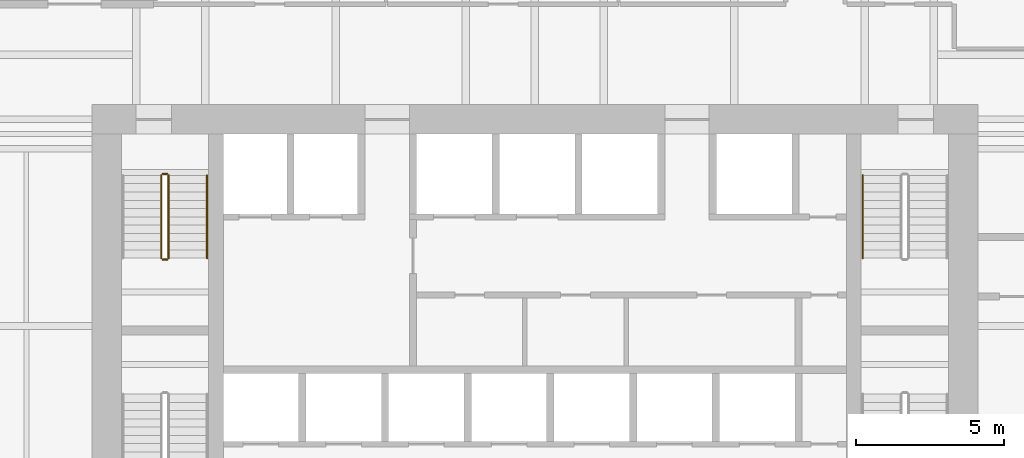
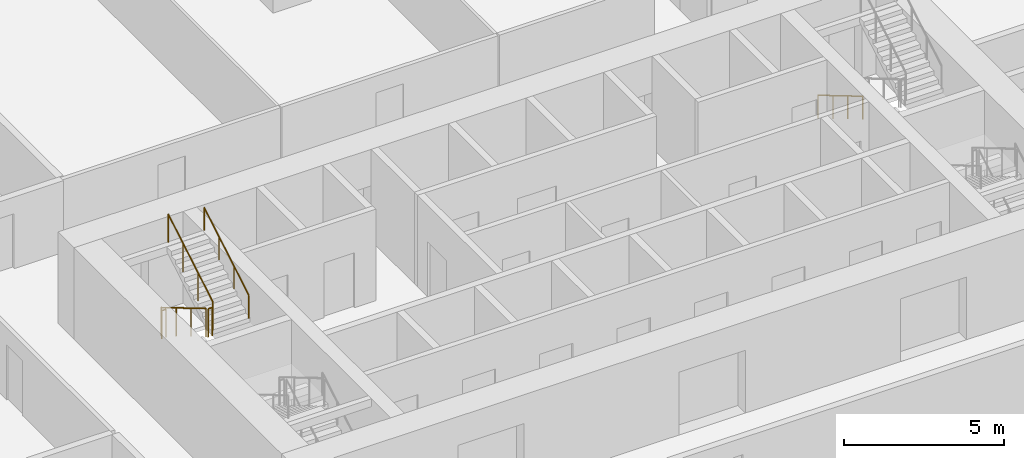
# One storey, part 37 of 51: 6 railings.
"""IFC4 building model written with IfcOpenShell, lengths in metres."""

from ifc_helpers import new_model, si_unit, direction, frame, origin, origin_2d, place, context, subcontext, project, spatial, circle, extrude, material, type_object, element, save


model = new_model("IFC4")

# Units and contexts
model_context = context("Model", 3, precision=1e-05, world=origin(), true_north=direction((0.0, 1.0)))
body_context = subcontext(model_context, "Body", "Model", "MODEL_VIEW")
ifc_project = project(units=[si_unit("LENGTHUNIT", "METRE"), si_unit("AREAUNIT", "SQUARE_METRE"), si_unit("VOLUMEUNIT", "CUBIC_METRE"), si_unit("PLANEANGLEUNIT", "RADIAN"), si_unit("MASSUNIT", "GRAM", prefix="KILO")], contexts=[model_context])

# Site, building, storey
site_placement = place(None, origin())
site = spatial("IfcSite", under=ifc_project, at=site_placement, CompositionType="ELEMENT")
building_placement = place(site_placement, origin())
building = spatial("IfcBuilding", under=site, at=building_placement, Name="Isthmus Gate Tower", CompositionType="ELEMENT")
storey_placement = place(building_placement, frame((0.0, 0.0, 36.0)))
storey = spatial("IfcBuildingStorey", under=building, at=storey_placement, Name="L06", CompositionType="ELEMENT", Elevation=36.0)

# Railings
ifc_material_1 = material(Name="Stainless steel balustrade", Category="steel")
railing_type_1 = type_object("IfcRailingType", Name="STAIR GUARD 1100", PredefinedType="GUARDRAIL", material=ifc_material_1)
railing_1_placement = place(storey_placement, frame((-12.64990234375, 12.60009765625, 0.166015625)))
element("IfcRailing", 1, at=railing_1_placement, inside=storey, type_object=railing_type_1, Name="L06 ST1 stair guard 1", PredefinedType="GUARDRAIL", context=body_context, shape_type="SweptSolid", body=[
    extrude(circle(Radius=0.02392578125, at=origin_2d()), frame((0.0, 0.0, 1.076171875), z_axis=(0.0, -0.860339051648, 0.50972219513), x_axis=(1.0, 0.0, 0.0)), (0.0, 0.0, 1.0), 3.254638671875),
    extrude(circle(Radius=0.02099609375, at=origin_2d()), origin(), (0.0, 0.0, 1.0), 1.052001953125),
    extrude(circle(Radius=0.02099609375, at=origin_2d()), frame((0.0, -0.933349609375, 0.552978515625)), (0.0, 0.0, 1.0), 1.052001953125),
    extrude(circle(Radius=0.02099609375, at=origin_2d()), frame((0.0, -1.86669921875, 1.10595703125)), (0.0, 0.0, 1.0), 1.052001953125),
    extrude(circle(Radius=0.02099609375, at=origin_2d()), frame((0.0, -2.800048828125, 1.658935546875)), (0.0, 0.0, 1.0), 1.052001953125),
])
railing_2_placement = place(storey_placement, frame((-12.60009765625, 9.75, 1.824951171875)))
element("IfcRailing", 2, at=railing_2_placement, inside=storey, type_object=railing_type_1, Name="L06 ST1 stair guard 2", PredefinedType="GUARDRAIL", context=body_context, shape_type="SweptSolid", body=[
    extrude(circle(Radius=0.02392578125, at=origin_2d()), frame((0.0, 0.0, 1.076171875), z_axis=(1.0, 0.0, 0.0), x_axis=(0.0, 1.0, 0.0)), (0.0, 0.0, 1.0), 0.150146484375),
    extrude(circle(Radius=0.02099609375, at=origin_2d()), origin(), (0.0, 0.0, 1.0), 1.052001953125),
    extrude(circle(Radius=0.02099609375, at=origin_2d()), frame((0.150146484375, 0.0, 0.0)), (0.0, 0.0, 1.0), 1.052001953125),
])
railing_3_placement = place(storey_placement, frame((-12.39990234375, 9.800048828125, 1.990966796875)))
element("IfcRailing", 3, at=railing_3_placement, inside=storey, type_object=railing_type_1, Name="L06 ST1 stair guard 3", PredefinedType="GUARDRAIL", context=body_context, shape_type="SweptSolid", body=[
    extrude(circle(Radius=0.02392578125, at=origin_2d()), frame((0.0, 0.0, 1.076171875), z_axis=(0.0, 0.860339051648, 0.50972219513), x_axis=(-1.0, 0.0, 0.0)), (0.0, 0.0, 1.0), 3.254638671875),
    extrude(circle(Radius=0.02099609375, at=origin_2d()), origin(), (0.0, 0.0, 1.0), 1.052001953125),
    extrude(circle(Radius=0.02099609375, at=origin_2d()), frame((0.0, 0.933349609375, 0.552978515625)), (0.0, 0.0, 1.0), 1.052001953125),
    extrude(circle(Radius=0.02099609375, at=origin_2d()), frame((0.0, 1.86669921875, 1.10595703125)), (0.0, 0.0, 1.0), 1.052001953125),
    extrude(circle(Radius=0.02099609375, at=origin_2d()), frame((0.0, 2.800048828125, 1.658935546875)), (0.0, 0.0, 1.0), 1.052001953125),
])
railing_4_placement = place(storey_placement, frame((-12.60009765625, 12.64990234375, 0.0)))
element("IfcRailing", 4, at=railing_4_placement, inside=storey, type_object=railing_type_1, Name="L06 ST1 stair guard 4", PredefinedType="GUARDRAIL", context=body_context, shape_type="SweptSolid", body=[
    extrude(circle(Radius=0.02392578125, at=origin_2d()), frame((0.0, 0.0, 1.076171875), z_axis=(1.0, 0.0, 0.0), x_axis=(0.0, 1.0, 0.0)), (0.0, 0.0, 1.0), 0.150146484375),
    extrude(circle(Radius=0.02099609375, at=origin_2d()), origin(), (0.0, 0.0, 1.0), 1.052001953125),
    extrude(circle(Radius=0.02099609375, at=origin_2d()), frame((0.150146484375, 0.0, 0.0)), (0.0, 0.0, 1.0), 1.052001953125),
])
ifc_material_2 = material(Name="Stainless steel handrail", Category="steel")
railing_type_2 = type_object("IfcRailingType", Name="STAIR HANDRAIL 900", PredefinedType="HANDRAIL", material=ifc_material_2)
railing_5_placement = place(storey_placement, frame((-11.10009765625, 9.800048828125, 1.990966796875)))
element("IfcRailing", 5, at=railing_5_placement, inside=storey, type_object=railing_type_2, Name="L06 ST1 stair handrail 2", PredefinedType="HANDRAIL", context=body_context, shape_type="SweptSolid", body=[
    extrude(circle(Radius=0.02392578125, at=origin_2d()), frame((0.0, 0.0, 0.8759765625), z_axis=(0.0, 0.860339051648, 0.50972219513), x_axis=(-1.0, 0.0, 0.0)), (0.0, 0.0, 1.0), 3.254638671875),
    extrude(circle(Radius=0.02099609375, at=origin_2d()), origin(), (0.0, 0.0, 1.0), 0.851806640625),
    extrude(circle(Radius=0.02099609375, at=origin_2d()), frame((0.0, 0.933349609375, 0.552978515625)), (0.0, 0.0, 1.0), 0.851806640625),
    extrude(circle(Radius=0.02099609375, at=origin_2d()), frame((0.0, 1.86669921875, 1.10595703125)), (0.0, 0.0, 1.0), 0.851806640625),
    extrude(circle(Radius=0.02099609375, at=origin_2d()), frame((0.0, 2.800048828125, 1.658935546875)), (0.0, 0.0, 1.0), 0.851806640625),
])
railing_6_placement = place(storey_placement, frame((11.10009765625, 12.60009765625, 0.166015625)))
element("IfcRailing", 6, at=railing_6_placement, inside=storey, type_object=railing_type_2, Name="L06 ST2 stair handrail 1", PredefinedType="HANDRAIL", context=body_context, shape_type="SweptSolid", body=[
    extrude(circle(Radius=0.02392578125, at=origin_2d()), frame((0.0, 0.0, 0.8759765625), z_axis=(0.0, -0.860339051648, 0.50972219513), x_axis=(1.0, 0.0, 0.0)), (0.0, 0.0, 1.0), 3.254638671875),
    extrude(circle(Radius=0.02099609375, at=origin_2d()), origin(), (0.0, 0.0, 1.0), 0.851806640625),
    extrude(circle(Radius=0.02099609375, at=origin_2d()), frame((0.0, -0.933349609375, 0.552978515625)), (0.0, 0.0, 1.0), 0.851806640625),
    extrude(circle(Radius=0.02099609375, at=origin_2d()), frame((0.0, -1.86669921875, 1.10595703125)), (0.0, 0.0, 1.0), 0.851806640625),
    extrude(circle(Radius=0.02099609375, at=origin_2d()), frame((0.0, -2.800048828125, 1.658935546875)), (0.0, 0.0, 1.0), 0.851806640625),
])

save(model, "model.ifc")
